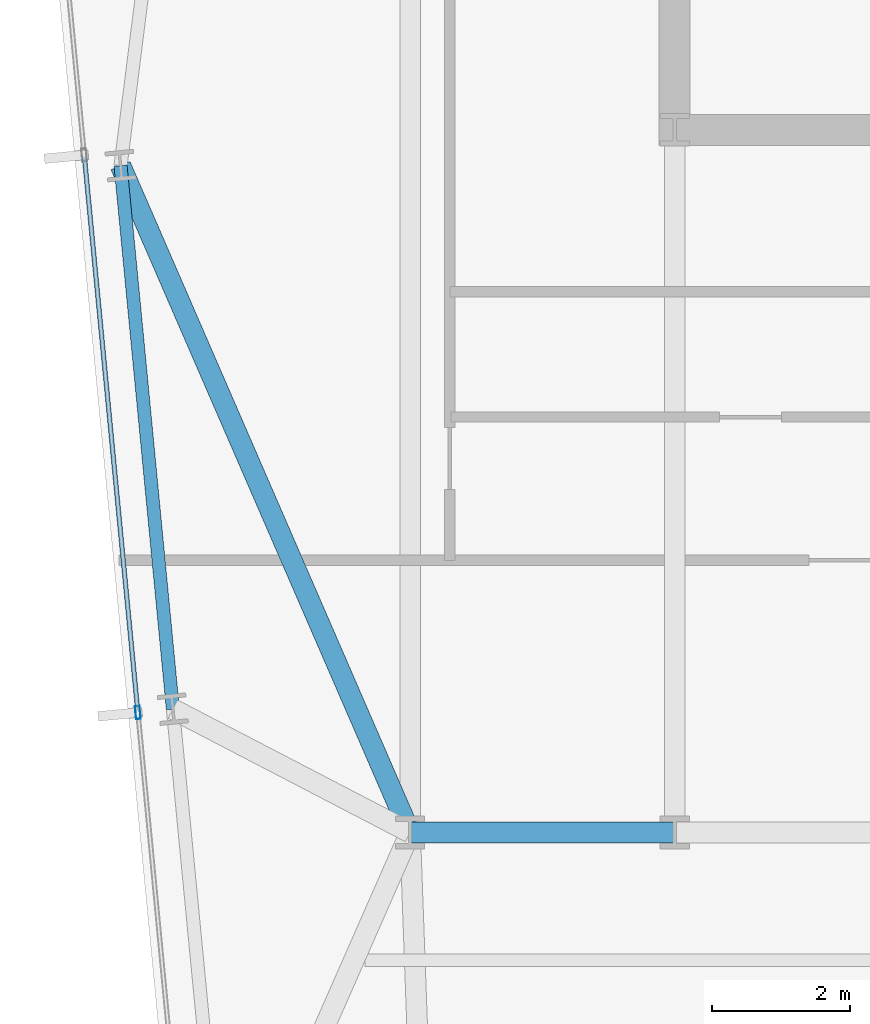
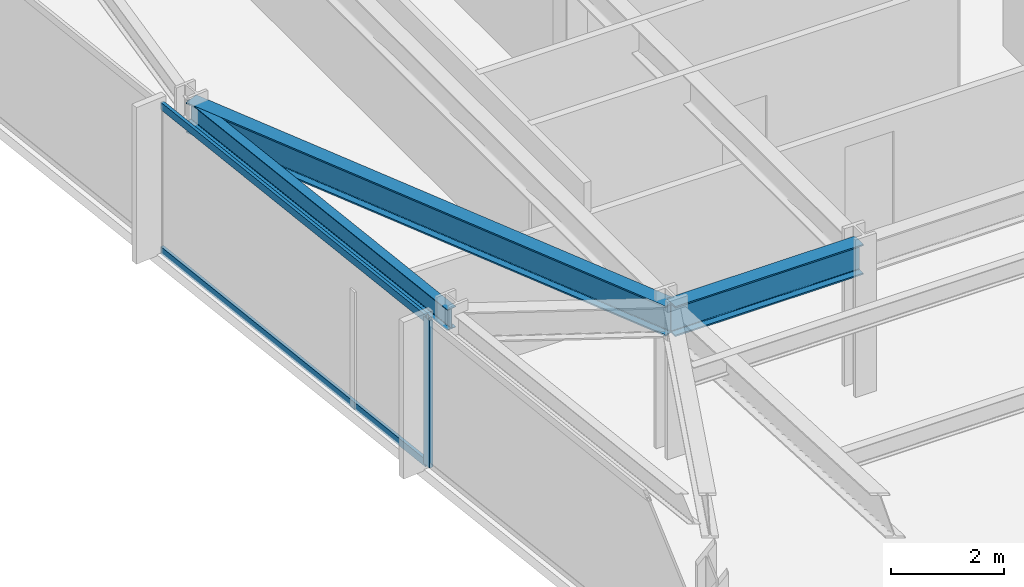
# One storey, part 6 of 32: 3 beams, 3 members, 1 element without a shape of its own.
"""IFC4 building model written with IfcOpenShell, lengths in metres."""

from ifc_helpers import new_model, si_unit, direction, frame, origin, origin_2d, place, context, subcontext, project, spatial, hollow_rectangle, i_section, extrude, material, material_profile, profile_set, type_object, element, aggregate, save


model = new_model("IFC4")

# Units and contexts
model_context = context("Model", 3, precision=1e-05, world=origin(), true_north=direction((0.0, 1.0)))
body_context = subcontext(model_context, "Body", "Model", "MODEL_VIEW")
ifc_project = project(units=[si_unit("LENGTHUNIT", "METRE"), si_unit("AREAUNIT", "SQUARE_METRE"), si_unit("VOLUMEUNIT", "CUBIC_METRE"), si_unit("PLANEANGLEUNIT", "RADIAN"), si_unit("MASSUNIT", "GRAM", prefix="KILO")], contexts=[model_context])

# Site, building, storey
site_placement = place(None, origin())
site = spatial("IfcSite", under=ifc_project, at=site_placement, CompositionType="ELEMENT")
building_placement = place(site_placement, origin())
building = spatial("IfcBuilding", under=site, at=building_placement, Name="Yelkora Congress Tower", CompositionType="ELEMENT")
storey_placement = place(building_placement, frame((0.0, 0.0, 120.300048828125)))
storey = spatial("IfcBuildingStorey", under=building, at=storey_placement, Name="L32", CompositionType="ELEMENT", Elevation=120.300048828125)

# Beams
ifc_material_1 = material(Name="Steel S355J2", Category="steel")
ifc_material_profile_1 = material_profile(ifc_material_1, i_section(OverallWidth=0.300048828125, OverallDepth=0.64990234375, WebThickness=0.01611328125, FlangeThickness=0.031005859375, FilletRadius=0.027099609375, at=origin_2d()), Name="HEB 650")
ifc_profile_set_1 = profile_set([ifc_material_profile_1], Name="Steel S355J2")
beam_type_1 = type_object("IfcBeamType", Name="BM-GIRD-HEB650", PredefinedType="BEAM", material=ifc_profile_set_1)
beam_1_placement = place(storey_placement, frame((19.199951171875, 25.199951171875, 2.85498046875), z_axis=(1.0, 0.0, 0.0), x_axis=(0.0, 1.0, 0.0)))
element("IfcBeam", 1, at=beam_1_placement, inside=storey, type_object=beam_type_1, Name="L32 Spine Grid D Girder 1", PredefinedType="BEAM", context=body_context, shape_type="SweptSolid", body=[
    extrude(i_section(OverallWidth=0.300048828125, OverallDepth=0.64990234375, WebThickness=0.01611328125, FlangeThickness=0.031005859375, FilletRadius=0.027099609375, at=origin_2d()), origin(), (0.0, 0.0, 1.0), 3.840087890625),
])
beam_2_placement = place(storey_placement, frame((14.997314453125, 34.87890625, 2.85498046875), z_axis=(0.398279362914, -0.917264165373, 0.0), x_axis=(0.917264165373, 0.398279362914, 0.0)))
element("IfcBeam", 2, at=beam_2_placement, inside=storey, type_object=beam_type_1, Name="L32 Primary Frame Girder W03", PredefinedType="BEAM", context=body_context, shape_type="SweptSolid", body=[
    extrude(i_section(OverallWidth=0.300048828125, OverallDepth=0.64990234375, WebThickness=0.01611328125, FlangeThickness=0.031005859375, FilletRadius=0.027099609375, at=origin_2d()), origin(), (0.0, 0.0, 1.0), 10.552001953125),
])
ifc_material_profile_2 = material_profile(ifc_material_1, i_section(OverallWidth=0.18994140625, OverallDepth=0.449951171875, WebThickness=0.009521484375, FlangeThickness=0.0146484375, FilletRadius=0.02099609375, at=origin_2d()), Name="IPE 450")
ifc_profile_set_2 = profile_set([ifc_material_profile_2], Name="Steel S355J2")
beam_type_2 = type_object("IfcBeamType", Name="BM-SPAN-IPE450", PredefinedType="SPANDREL", material=ifc_profile_set_2)
beam_3_placement = place(storey_placement, frame((14.997314453125, 34.87890625, 2.954833984375), z_axis=(0.095870310714, -0.995393833376, 0.0), x_axis=(0.995393833376, 0.095870310714, 0.0)))
element("IfcBeam", 3, at=beam_3_placement, inside=storey, type_object=beam_type_2, Name="L32 Perimeter Beam 19", PredefinedType="SPANDREL", context=body_context, shape_type="SweptSolid", body=[
    extrude(i_section(OverallWidth=0.18994140625, OverallDepth=0.449951171875, WebThickness=0.009521484375, FlangeThickness=0.0146484375, FilletRadius=0.02099609375, at=origin_2d()), origin(), (0.0, 0.0, 1.0), 7.925048828125),
])

# Curtain wall, members
ifc_material_2 = material(Name="Anodised aluminium and insulated glass", Category="aluminium")
curtain_wall_type = type_object("IfcCurtainWallType", Name="CW-SYS-B2", PredefinedType="NOTDEFINED", material=ifc_material_2)
curtain_wall_placement = place(storey_placement, origin())
curtain_wall = element("IfcCurtainWall", 4, at=curtain_wall_placement, inside=storey, type_object=curtain_wall_type, Name="L32 Unitised Curtain Wall 5", PredefinedType="NOTDEFINED")
ifc_material_3 = material(Name="Anodised aluminium 6063-T6", Category="aluminium")
ifc_material_profile_3 = material_profile(ifc_material_3, hollow_rectangle(XDim=0.070068359375, YDim=0.18994140625, WallThickness=0.00390625, at=origin_2d()), Name="ALU 70x190x4")
ifc_profile_set_3 = profile_set([ifc_material_profile_3], Name="Anodised aluminium 6063-T6")
member_type_1 = type_object("IfcMemberType", Name="MEM-ML-B2", PredefinedType="MULLION", material=ifc_profile_set_3)
member_1_placement = place(storey_placement, frame((15.249267578125, 26.941650390625, 0.0), z_axis=(0.0, 0.0, 1.0), x_axis=(-0.995396507508, -0.095842541913, 0.0)))
member_1 = element("IfcMember", 5, at=member_1_placement, type_object=member_type_1, Name="CW-B2 mullion 3", PredefinedType="MULLION", context=body_context, shape_type="SweptSolid", body=[
    extrude(hollow_rectangle(XDim=0.070068359375, YDim=0.18994140625, WallThickness=0.00390625, at=origin_2d()), origin(), (0.0, 0.0, 1.0), 3.179931640625),
])
ifc_material_profile_4 = material_profile(ifc_material_3, hollow_rectangle(XDim=0.06494140625, YDim=0.159912109375, WallThickness=0.00390625, at=origin_2d()), Name="ALU 65x160x4")
ifc_profile_set_4 = profile_set([ifc_material_profile_4], Name="Anodised aluminium 6063-T6")
member_type_2 = type_object("IfcMemberType", Name="MEM-TR-B2", PredefinedType="USERDEFINED", material=ifc_profile_set_4)
member_2_placement = place(storey_placement, frame((15.245849609375, 26.976318359375, 0.032470703125), z_axis=(-0.095838228465, 0.995396922823, 0.0), x_axis=(-0.995396922823, -0.095838228465, 0.0)))
member_2 = element("IfcMember", 6, at=member_2_placement, type_object=member_type_2, Name="CW-B2 transom 3.1", ObjectType="TRANSOM", PredefinedType="USERDEFINED", context=body_context, shape_type="SweptSolid", body=[
    extrude(hollow_rectangle(XDim=0.06494140625, YDim=0.159912109375, WallThickness=0.00390625, at=origin_2d()), origin(), (0.0, 0.0, 1.0), 8.06005859375),
])
member_3_placement = place(storey_placement, frame((15.245849609375, 26.976318359375, 3.1474609375), z_axis=(-0.095838228465, 0.995396922823, 0.0), x_axis=(-0.995396922823, -0.095838228465, 0.0)))
member_3 = element("IfcMember", 7, at=member_3_placement, type_object=member_type_2, Name="CW-B2 transom 3.2", ObjectType="TRANSOM", PredefinedType="USERDEFINED", context=body_context, shape_type="SweptSolid", body=[
    extrude(hollow_rectangle(XDim=0.06494140625, YDim=0.159912109375, WallThickness=0.00390625, at=origin_2d()), origin(), (0.0, 0.0, 1.0), 8.06005859375),
])
aggregate(curtain_wall, [member_1, member_2, member_3])

save(model, "model.ifc")
